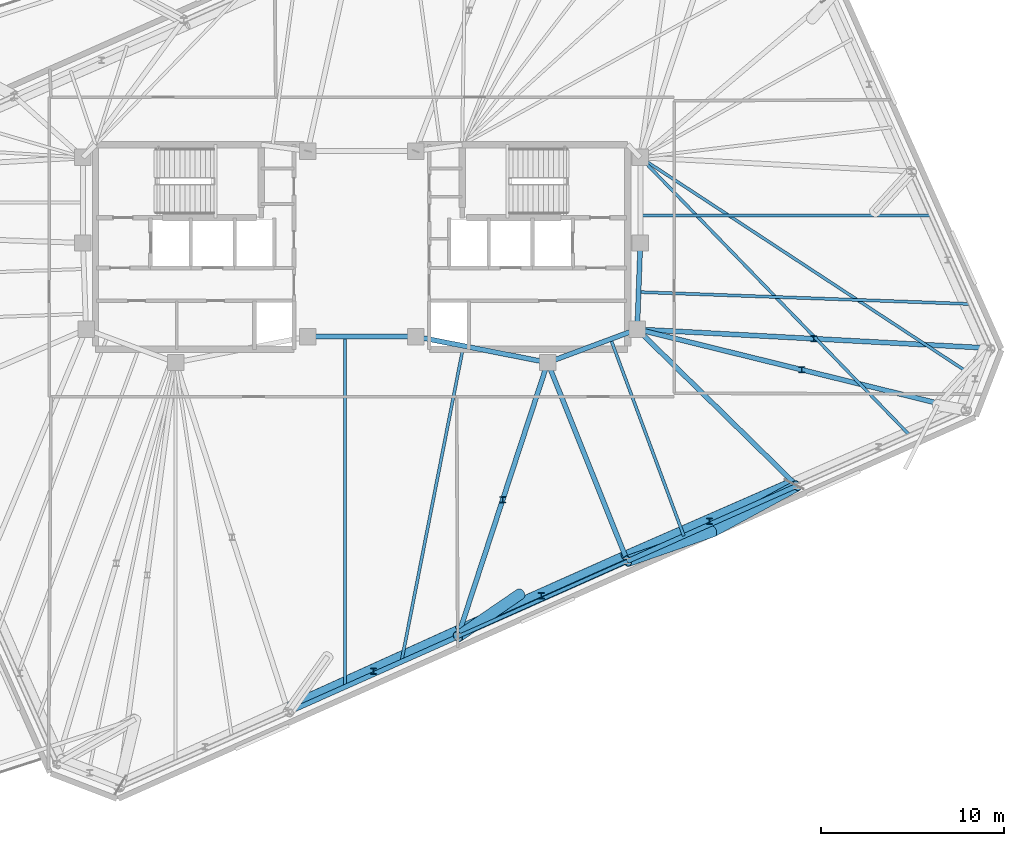
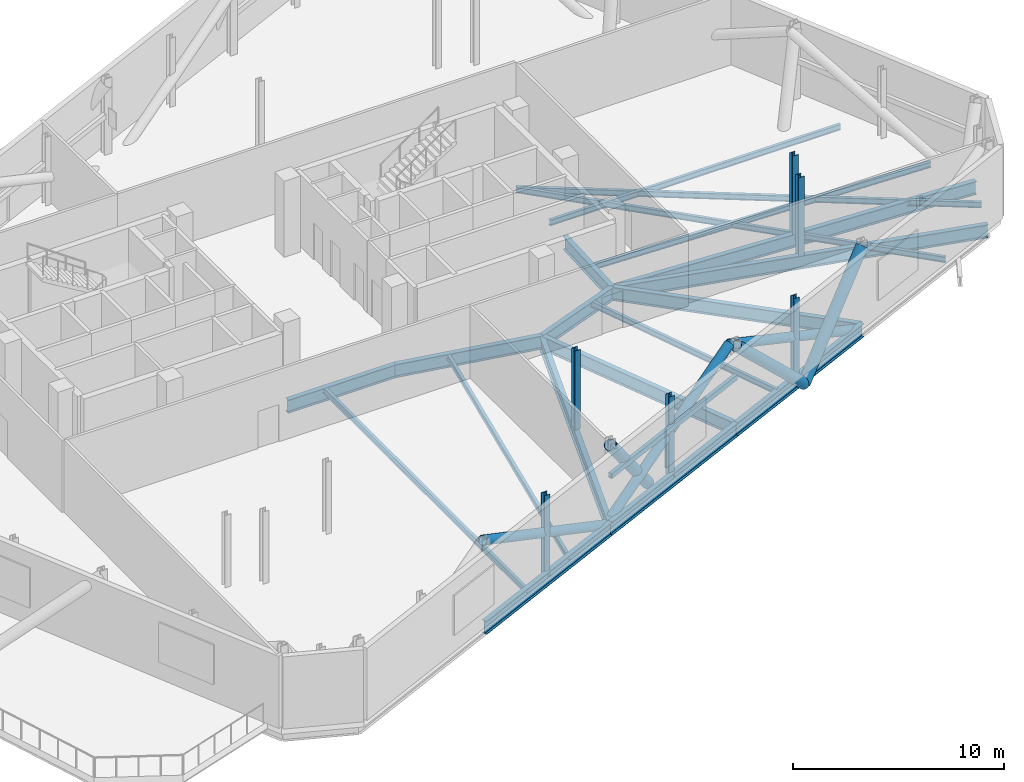
# One storey, part 5 of 15: 19 beams, 13 members.
"""IFC4 building model written with IfcOpenShell, lengths in metres."""

from ifc_helpers import new_model, si_unit, direction, frame, origin, origin_2d, place, context, subcontext, project, spatial, hollow_rectangle, hollow_circle, i_section, extrude, material, material_profile, profile_set, type_object, element, save


model = new_model("IFC4")

# Units and contexts
model_context = context("Model", 3, precision=1e-05, world=origin(), true_north=direction((0.0, 1.0)))
body_context = subcontext(model_context, "Body", "Model", "MODEL_VIEW")
ifc_project = project(units=[si_unit("LENGTHUNIT", "METRE"), si_unit("AREAUNIT", "SQUARE_METRE"), si_unit("VOLUMEUNIT", "CUBIC_METRE"), si_unit("PLANEANGLEUNIT", "RADIAN"), si_unit("MASSUNIT", "GRAM", prefix="KILO")], contexts=[model_context])

# Site, building, storey
site_placement = place(None, origin())
site = spatial("IfcSite", under=ifc_project, at=site_placement, CompositionType="ELEMENT")
building_placement = place(site_placement, origin())
building = spatial("IfcBuilding", under=site, at=building_placement, Name="Menara Jurai Vektor", CompositionType="ELEMENT")
storey_placement = place(building_placement, frame((0.0, 0.0, 254.449951171875)))
storey = spatial("IfcBuildingStorey", under=building, at=storey_placement, Name="L68", CompositionType="ELEMENT", Elevation=254.449951171875)

# Beams
ifc_material_1 = material(Name="Steel S460", Category="steel")
ifc_material_profile_1 = material_profile(ifc_material_1, i_section(OverallWidth=0.26806640625, OverallDepth=0.77001953125, WebThickness=0.01611328125, FlangeThickness=0.02490234375, FilletRadius=0.01708984375, at=origin_2d()), Name="UKB 762x267x197")
ifc_profile_set_1 = profile_set([ifc_material_profile_1], Name="Steel S460")
beam_type_1 = type_object("IfcBeamType", Name="STR-BM-TR762", PredefinedType="BEAM", material=ifc_profile_set_1)
beam_1_placement = place(storey_placement, frame((15.080078125, -4.5, -0.7900390625), z_axis=(0.035977314146, 0.999352606874, 0.0), x_axis=(-0.999352606874, 0.035977314146, 0.0)))
element("IfcBeam", 1, at=beam_1_placement, inside=storey, type_object=beam_type_1, Name="Core Ring Header Girder L68-CHE-E2", PredefinedType="BEAM", context=body_context, shape_type="SweptSolid", body=[
    extrude(i_section(OverallWidth=0.26806640625, OverallDepth=0.77001953125, WebThickness=0.01611328125, FlangeThickness=0.02490234375, FilletRadius=0.01708984375, at=origin_2d()), origin(), (0.0, 0.0, 1.0), 4.72314453125),
])
beam_2_placement = place(storey_placement, frame((10.179931640625, -6.320068359375, -0.7900390625), z_axis=(0.937424400887, 0.348188874925, 0.0), x_axis=(-0.348188874925, 0.937424400887, 0.0)))
element("IfcBeam", 2, at=beam_2_placement, inside=storey, type_object=beam_type_1, Name="Core Ring Header Girder L68-CHE-S1", PredefinedType="BEAM", context=body_context, shape_type="SweptSolid", body=[
    extrude(i_section(OverallWidth=0.26806640625, OverallDepth=0.77001953125, WebThickness=0.01611328125, FlangeThickness=0.02490234375, FilletRadius=0.01708984375, at=origin_2d()), origin(), (0.0, 0.0, 1.0), 5.227294921875),
])
beam_3_placement = place(storey_placement, frame((2.949951171875, -4.89990234375, -0.7900390625), z_axis=(0.981249044334, -0.192744164614, 0.0), x_axis=(0.192744164614, 0.981249044334, 0.0)))
element("IfcBeam", 3, at=beam_3_placement, inside=storey, type_object=beam_type_1, Name="Core Ring Header Girder L68-CHE-S2", PredefinedType="BEAM", context=body_context, shape_type="SweptSolid", body=[
    extrude(i_section(OverallWidth=0.26806640625, OverallDepth=0.77001953125, WebThickness=0.01611328125, FlangeThickness=0.02490234375, FilletRadius=0.01708984375, at=origin_2d()), origin(), (0.0, 0.0, 1.0), 7.3681640625),
])
beam_4_placement = place(storey_placement, frame((-2.949951171875, -4.89990234375, -0.7900390625), z_axis=(1.0, 0.0, 0.0), x_axis=(0.0, 1.0, 0.0)))
element("IfcBeam", 4, at=beam_4_placement, inside=storey, type_object=beam_type_1, Name="Core Ring Header Girder L68-CC-1", PredefinedType="BEAM", context=body_context, shape_type="SweptSolid", body=[
    extrude(i_section(OverallWidth=0.26806640625, OverallDepth=0.77001953125, WebThickness=0.01611328125, FlangeThickness=0.02490234375, FilletRadius=0.01708984375, at=origin_2d()), origin(), (0.0, 0.0, 1.0), 5.89990234375),
])
beam_5_placement = place(storey_placement, frame((-4.006103515625, -25.4482421875, -0.7900390625), z_axis=(0.913545561407, 0.406736410017, 0.0), x_axis=(-0.406736410017, 0.913545561407, 0.0)))
element("IfcBeam", 5, at=beam_5_placement, inside=storey, type_object=beam_type_1, Name="Belt Truss Bottom Chord L68-02", PredefinedType="BEAM", context=body_context, shape_type="SweptSolid", body=[
    extrude(i_section(OverallWidth=0.26806640625, OverallDepth=0.77001953125, WebThickness=0.01611328125, FlangeThickness=0.02490234375, FilletRadius=0.01708984375, at=origin_2d()), origin(), (0.0, 0.0, 1.0), 10.1513671875),
])
beam_6_placement = place(storey_placement, frame((5.267578125, -21.3193359375, -0.7900390625), z_axis=(0.913541582548, 0.406745346568, 0.0), x_axis=(-0.406745346568, 0.913541582548, 0.0)))
element("IfcBeam", 6, at=beam_6_placement, inside=storey, type_object=beam_type_1, Name="Belt Truss Bottom Chord L68-03", PredefinedType="BEAM", context=body_context, shape_type="SweptSolid", body=[
    extrude(i_section(OverallWidth=0.26806640625, OverallDepth=0.77001953125, WebThickness=0.01611328125, FlangeThickness=0.02490234375, FilletRadius=0.01708984375, at=origin_2d()), origin(), (0.0, 0.0, 1.0), 10.151123046875),
])
beam_7_placement = place(storey_placement, frame((5.267578125, -21.3193359375, -0.7900390625), z_axis=(0.311239486704, 0.950331511587, 0.0), x_axis=(-0.950331511587, 0.311239486704, 0.0)))
element("IfcBeam", 7, at=beam_7_placement, inside=storey, type_object=beam_type_1, Name="Outrigger Transfer Girder L68-S3", PredefinedType="BEAM", context=body_context, shape_type="SweptSolid", body=[
    extrude(i_section(OverallWidth=0.26806640625, OverallDepth=0.77001953125, WebThickness=0.01611328125, FlangeThickness=0.02490234375, FilletRadius=0.01708984375, at=origin_2d()), origin(), (0.0, 0.0, 1.0), 15.783203125),
])
beam_8_placement = place(storey_placement, frame((14.541015625, -17.1904296875, -0.7900390625), z_axis=(0.913554497648, 0.406716338284, 0.0), x_axis=(-0.406716338284, 0.913554497648, 0.0)))
element("IfcBeam", 8, at=beam_8_placement, inside=storey, type_object=beam_type_1, Name="Belt Truss Bottom Chord L68-04", PredefinedType="BEAM", context=body_context, shape_type="SweptSolid", body=[
    extrude(i_section(OverallWidth=0.26806640625, OverallDepth=0.77001953125, WebThickness=0.01611328125, FlangeThickness=0.02490234375, FilletRadius=0.01708984375, at=origin_2d()), origin(), (0.0, 0.0, 1.0), 10.151123046875),
])
beam_9_placement = place(storey_placement, frame((14.541015625, -17.1904296875, -0.7900390625), z_axis=(-0.372342852726, 0.928095253745, 0.0), x_axis=(-0.928095253745, -0.372342852726, 0.0)))
element("IfcBeam", 9, at=beam_9_placement, inside=storey, type_object=beam_type_1, Name="Outrigger Transfer Girder L68-S4", PredefinedType="BEAM", context=body_context, shape_type="SweptSolid", body=[
    extrude(i_section(OverallWidth=0.26806640625, OverallDepth=0.77001953125, WebThickness=0.01611328125, FlangeThickness=0.02490234375, FilletRadius=0.01708984375, at=origin_2d()), origin(), (0.0, 0.0, 1.0), 11.712646484375),
])
beam_10_placement = place(storey_placement, frame((23.814697265625, -13.061767578125, -0.7900390625), z_axis=(-0.714137598149, 0.70000535063, 0.0), x_axis=(-0.70000535063, -0.714137598149, 0.0)))
element("IfcBeam", 10, at=beam_10_placement, inside=storey, type_object=beam_type_1, Name="Outrigger Transfer Girder L68-S5", PredefinedType="BEAM", context=body_context, shape_type="SweptSolid", body=[
    extrude(i_section(OverallWidth=0.26806640625, OverallDepth=0.77001953125, WebThickness=0.01611328125, FlangeThickness=0.02490234375, FilletRadius=0.01708984375, at=origin_2d()), origin(), (0.0, 0.0, 1.0), 12.23095703125),
])
beam_11_placement = place(storey_placement, frame((33.088134765625, -8.932861328125, -0.7900390625), z_axis=(-0.971013515776, 0.239024584888, 0.0), x_axis=(-0.239024584888, -0.971013515776, 0.0)))
element("IfcBeam", 11, at=beam_11_placement, inside=storey, type_object=beam_type_1, Name="Outrigger Transfer Girder L68-S6", PredefinedType="BEAM", context=body_context, shape_type="SweptSolid", body=[
    extrude(i_section(OverallWidth=0.26806640625, OverallDepth=0.77001953125, WebThickness=0.01611328125, FlangeThickness=0.02490234375, FilletRadius=0.01708984375, at=origin_2d()), origin(), (0.0, 0.0, 1.0), 18.545654296875),
])
beam_12_placement = place(storey_placement, frame((34.3916015625, -5.536865234375, -0.7900390625), z_axis=(-0.998561718759, 0.053614306189, 0.0), x_axis=(-0.053614306189, -0.998561718759, 0.0)))
element("IfcBeam", 12, at=beam_12_placement, inside=storey, type_object=beam_type_1, Name="Outrigger Transfer Girder L68-E1", PredefinedType="BEAM", context=body_context, shape_type="SweptSolid", body=[
    extrude(i_section(OverallWidth=0.26806640625, OverallDepth=0.77001953125, WebThickness=0.01611328125, FlangeThickness=0.02490234375, FilletRadius=0.01708984375, at=origin_2d()), origin(), (0.0, 0.0, 1.0), 19.33935546875),
])

# Members
ifc_material_profile_2 = material_profile(ifc_material_1, hollow_circle(Radius=0.25390625, WallThickness=0.02001953125, at=origin_2d()), Name="CHS 508x20")
ifc_profile_set_2 = profile_set([ifc_material_profile_2], Name="Steel S460")
member_type_1 = type_object("IfcMemberType", Name="STR-BR-508", PredefinedType="BRACE", material=ifc_profile_set_2)
member_1_placement = place(storey_placement, frame((5.216552734375, -20.983154296875, -0.7900390625), z_axis=(-0.821316804625, -0.372142021495, 0.432376019546), x_axis=(0.412714592074, -0.910860398463, 0.0)))
element("IfcMember", 13, at=member_1_placement, inside=storey, type_object=member_type_1, Name="Belt Truss Web Diagonal L68-02", PredefinedType="BRACE", context=body_context, shape_type="SweptSolid", body=[
    extrude(hollow_circle(Radius=0.25390625, WallThickness=0.02001953125, at=origin_2d()), origin(), (0.0, 0.0, 1.0), 11.117919921875),
])
member_2_placement = place(storey_placement, frame((5.216552734375, -20.983154296875, -0.7900390625), z_axis=(0.822898196304, 0.366377065555, 0.434288388464), x_axis=(-0.406735886564, 0.913545794463, 0.0)))
element("IfcMember", 14, at=member_2_placement, inside=storey, type_object=member_type_1, Name="Belt Truss Web Diagonal L68-03", PredefinedType="BRACE", context=body_context, shape_type="SweptSolid", body=[
    extrude(hollow_circle(Radius=0.25390625, WallThickness=0.02001953125, at=origin_2d()), origin(), (0.0, 0.0, 1.0), 11.069091796875),
])
member_3_placement = place(storey_placement, frame((23.51025390625, -12.91015625, -0.7900390625), z_axis=(-0.826127025941, -0.361350973869, 0.432365135845), x_axis=(0.400744737234, -0.916189748676, 0.0)))
element("IfcMember", 15, at=member_3_placement, inside=storey, type_object=member_type_1, Name="Belt Truss Web Diagonal L68-04", PredefinedType="BRACE", context=body_context, shape_type="SweptSolid", body=[
    extrude(hollow_circle(Radius=0.25390625, WallThickness=0.02001953125, at=origin_2d()), origin(), (0.0, 0.0, 1.0), 11.1181640625),
])
ifc_material_profile_3 = material_profile(ifc_material_1, hollow_rectangle(XDim=0.199951171875, YDim=0.300048828125, WallThickness=0.012451171875, at=origin_2d()), Name="RHS 300x200x12.5")
ifc_profile_set_3 = profile_set([ifc_material_profile_3], Name="Steel S460")
member_type_2 = type_object("IfcMemberType", Name="STR-CH-RHS300", PredefinedType="CHORD", material=ifc_profile_set_3)
member_4_placement = place(storey_placement, frame((5.267578125, -21.3193359375, 2.22998046875), z_axis=(0.913541582548, 0.406745346568, 0.0), x_axis=(-0.406745346568, 0.913541582548, 0.0)))
element("IfcMember", 16, at=member_4_placement, inside=storey, type_object=member_type_2, Name="Belt Truss Mid Chord L68-03", PredefinedType="CHORD", context=body_context, shape_type="SweptSolid", body=[
    extrude(hollow_rectangle(XDim=0.199951171875, YDim=0.300048828125, WallThickness=0.012451171875, at=origin_2d()), origin(), (0.0, 0.0, 1.0), 10.151123046875),
])

# Beams
ifc_material_2 = material(Name="Steel S355", Category="steel")
ifc_material_profile_4 = material_profile(ifc_material_2, i_section(OverallWidth=0.1650390625, OverallDepth=0.330078125, WebThickness=0.009033203125, FlangeThickness=0.013916015625, at=origin_2d()), Name="PG 330x165x46")
ifc_profile_set_4 = profile_set([ifc_material_profile_4], Name="Steel S355")
beam_type_2 = type_object("IfcBeamType", Name="STR-JS-330", PredefinedType="JOIST", material=ifc_profile_set_4)
beam_13_placement = place(storey_placement, frame((-0.914794921875, -24.072021484375, -0.570068359375), z_axis=(0.0, 1.0, 0.0), x_axis=(-1.0, 0.0, 0.0)))
element("IfcBeam", 17, at=beam_13_placement, inside=storey, type_object=beam_type_2, Name="Radial Secondary Floor Joist L68-JS03", PredefinedType="JOIST", context=body_context, shape_type="SweptSolid", body=[
    extrude(i_section(OverallWidth=0.1650390625, OverallDepth=0.330078125, WebThickness=0.009033203125, FlangeThickness=0.013916015625, at=origin_2d()), origin(), (0.0, 0.0, 1.0), 19.172119140625),
])
beam_14_placement = place(storey_placement, frame((2.176513671875, -22.695556640625, -0.570068359375), z_axis=(0.192710503651, 0.981255655669, 0.0), x_axis=(-0.981255655669, 0.192710503651, 0.0)))
element("IfcBeam", 18, at=beam_14_placement, inside=storey, type_object=beam_type_2, Name="Radial Secondary Floor Joist L68-JS04", PredefinedType="JOIST", context=body_context, shape_type="SweptSolid", body=[
    extrude(i_section(OverallWidth=0.1650390625, OverallDepth=0.330078125, WebThickness=0.009033203125, FlangeThickness=0.013916015625, at=origin_2d()), origin(), (0.0, 0.0, 1.0), 17.61083984375),
])
beam_15_placement = place(storey_placement, frame((17.632080078125, -15.814208984375, -0.570068359375), z_axis=(-0.348172664726, 0.937430421705, 0.0), x_axis=(-0.937430421705, -0.348172664726, 0.0)))
element("IfcBeam", 19, at=beam_15_placement, inside=storey, type_object=beam_type_2, Name="Radial Secondary Floor Joist L68-JS05", PredefinedType="JOIST", context=body_context, shape_type="SweptSolid", body=[
    extrude(i_section(OverallWidth=0.1650390625, OverallDepth=0.330078125, WebThickness=0.009033203125, FlangeThickness=0.013916015625, at=origin_2d()), origin(), (0.0, 0.0, 1.0), 11.494873046875),
])
beam_16_placement = place(storey_placement, frame((29.996826171875, -10.30908203125, -0.570068359375), z_axis=(-0.696114697983, 0.717930586653, 0.0), x_axis=(-0.717930586653, -0.696114697983, 0.0)))
element("IfcBeam", 20, at=beam_16_placement, inside=storey, type_object=beam_type_2, Name="Radial Secondary Floor Joist L68-JS06", PredefinedType="JOIST", context=body_context, shape_type="SweptSolid", body=[
    extrude(i_section(OverallWidth=0.1650390625, OverallDepth=0.330078125, WebThickness=0.009033203125, FlangeThickness=0.013916015625, at=origin_2d()), origin(), (0.0, 0.0, 1.0), 21.1845703125),
])
beam_17_placement = place(storey_placement, frame((33.739990234375, -7.23486328125, -0.570068359375), z_axis=(-0.836033194478, 0.54867886576, 0.0), x_axis=(-0.54867886576, -0.836033194478, 0.0)))
element("IfcBeam", 21, at=beam_17_placement, inside=storey, type_object=beam_type_2, Name="Radial Secondary Floor Joist L68-JS07", PredefinedType="JOIST", context=body_context, shape_type="SweptSolid", body=[
    extrude(i_section(OverallWidth=0.1650390625, OverallDepth=0.330078125, WebThickness=0.009033203125, FlangeThickness=0.013916015625, at=origin_2d()), origin(), (0.0, 0.0, 1.0), 22.116455078125),
])
beam_18_placement = place(storey_placement, frame((33.315185546875, -3.119384765625, -0.570068359375), z_axis=(-0.999351699571, 0.036002507761, 0.0), x_axis=(-0.036002507761, -0.999351699571, 0.0)))
element("IfcBeam", 22, at=beam_18_placement, inside=storey, type_object=beam_type_2, Name="Radial Secondary Floor Joist L68-JS08", PredefinedType="JOIST", context=body_context, shape_type="SweptSolid", body=[
    extrude(i_section(OverallWidth=0.1650390625, OverallDepth=0.330078125, WebThickness=0.009033203125, FlangeThickness=0.013916015625, at=origin_2d()), origin(), (0.0, 0.0, 1.0), 18.173583984375),
])
beam_19_placement = place(storey_placement, frame((31.16259765625, 1.7158203125, -0.570068359375), z_axis=(-1.0, 0.0, 0.0), x_axis=(0.0, -1.0, 0.0)))
element("IfcBeam", 23, at=beam_19_placement, inside=storey, type_object=beam_type_2, Name="Radial Secondary Floor Joist L68-JS09", PredefinedType="JOIST", context=body_context, shape_type="SweptSolid", body=[
    extrude(i_section(OverallWidth=0.1650390625, OverallDepth=0.330078125, WebThickness=0.009033203125, FlangeThickness=0.013916015625, at=origin_2d()), origin(), (0.0, 0.0, 1.0), 15.91259765625),
])

# Members
ifc_material_profile_5 = material_profile(ifc_material_1, i_section(OverallWidth=0.31103515625, OverallDepth=0.326904296875, WebThickness=0.01611328125, FlangeThickness=0.02490234375, FilletRadius=0.014892578125, at=origin_2d()), Name="UKC 305x305x158")
ifc_profile_set_5 = profile_set([ifc_material_profile_5], Name="Steel S460")
member_type_3 = type_object("IfcMemberType", Name="STR-POST-305", PredefinedType="POST", material=ifc_profile_set_5)
member_5_placement = place(storey_placement, frame((0.64599609375, -23.204345703125, -0.7548828125), z_axis=(0.0, 0.0, 1.0), x_axis=(1.0, 0.0, 0.0)))
element("IfcMember", 24, at=member_5_placement, inside=storey, type_object=member_type_3, Name="Belt Truss Vertical Web Post L68-02", PredefinedType="POST", context=body_context, shape_type="SweptSolid", body=[
    extrude(i_section(OverallWidth=0.31103515625, OverallDepth=0.326904296875, WebThickness=0.01611328125, FlangeThickness=0.02490234375, FilletRadius=0.014892578125, at=origin_2d()), origin(), (0.0, 0.0, 1.0), 4.72998046875),
])
member_6_placement = place(storey_placement, frame((7.723876953125, -13.819580078125, -0.405029296875), z_axis=(0.0, 0.0, 1.0), x_axis=(1.0, 0.0, 0.0)))
element("IfcMember", 25, at=member_6_placement, inside=storey, type_object=member_type_3, Name="Girder Hanger L68-S3", PredefinedType="POST", context=body_context, shape_type="SweptSolid", body=[
    extrude(i_section(OverallWidth=0.31103515625, OverallDepth=0.326904296875, WebThickness=0.01611328125, FlangeThickness=0.02490234375, FilletRadius=0.014892578125, at=origin_2d()), origin(), (0.0, 0.0, 1.0), 4.580078125),
])
for number, where, z_axis, x_axis, name in (
    (26, (9.8310546875, -19.090576171875, -0.7548828125), (0.0, 0.0, 1.0), (1.0, 0.0, 0.0), "Belt Truss Vertical Web Post L68-03"),
    (27, (19.034423828125, -15.017333984375, -0.7548828125), (0.0, 0.0, 1.0), (1.0, 0.0, 0.0), "Belt Truss Vertical Web Post L68-04"),
):
    element("IfcMember", number, at=place(storey_placement, frame(where, z_axis=z_axis, x_axis=x_axis)), inside=storey, type_object=member_type_3, Name=name, PredefinedType="POST", context=body_context, shape_type="SweptSolid", body=[
        extrude(i_section(OverallWidth=0.31103515625, OverallDepth=0.326904296875, WebThickness=0.01611328125, FlangeThickness=0.02490234375, FilletRadius=0.014892578125, at=origin_2d()), origin(), (0.0, 0.0, 1.0), 4.72998046875),
    ])
for number, where, z_axis, x_axis, name in (
    (28, (24.083984375, -6.71630859375, -0.405029296875), (0.0, 0.0, 1.0), (1.0, 0.0, 0.0), "Girder Hanger L68-S6"),
    (29, (24.73583984375, -5.018310546875, -0.405029296875), (0.0, 0.0, 1.0), (1.0, 0.0, 0.0), "Girder Hanger L68-E1"),
):
    element("IfcMember", number, at=place(storey_placement, frame(where, z_axis=z_axis, x_axis=x_axis)), inside=storey, type_object=member_type_3, Name=name, PredefinedType="POST", context=body_context, shape_type="SweptSolid", body=[
        extrude(i_section(OverallWidth=0.31103515625, OverallDepth=0.326904296875, WebThickness=0.01611328125, FlangeThickness=0.02490234375, FilletRadius=0.014892578125, at=origin_2d()), origin(), (0.0, 0.0, 1.0), 4.580078125),
    ])
ifc_material_profile_6 = material_profile(ifc_material_1, hollow_circle(Radius=0.304931640625, WallThickness=0.02490234375, at=origin_2d()), Name="CHS 610x25")
ifc_profile_set_6 = profile_set([ifc_material_profile_6], Name="Steel S460")
member_type_4 = type_object("IfcMemberType", Name="STR-ST-610", PredefinedType="STRUT", material=ifc_profile_set_6)
member_7_placement = place(storey_placement, frame((8.675048828125, -18.987548828125, -0.7900390625), z_axis=(-0.53771703197, -0.36796842963, 0.758590553807), x_axis=(0.56474326649, -0.825266649607, 0.0)))
element("IfcMember", 30, at=member_7_placement, inside=storey, type_object=member_type_4, Name="Transfer Outrigger Strut L68-S3", PredefinedType="STRUT", context=body_context, shape_type="SweptSolid", body=[
    extrude(hollow_circle(Radius=0.304931640625, WallThickness=0.02490234375, at=origin_2d()), origin(), (0.0, 0.0, 1.0), 6.3369140625),
])
member_8_placement = place(storey_placement, frame((19.204345703125, -15.56640625, -0.7900390625), z_axis=(-0.67667984192, -0.235656473926, 0.697545996932), x_axis=(0.328881111314, -0.944371333015, 0.0)))
element("IfcMember", 31, at=member_8_placement, inside=storey, type_object=member_type_4, Name="Transfer Outrigger Strut L68-S4", PredefinedType="STRUT", context=body_context, shape_type="SweptSolid", body=[
    extrude(hollow_circle(Radius=0.304931640625, WallThickness=0.02490234375, at=origin_2d()), origin(), (0.0, 0.0, 1.0), 6.8916015625),
])
member_9_placement = place(storey_placement, frame((19.204345703125, -15.56640625, -0.7900390625), z_axis=(0.647867990339, 0.351982085097, 0.67555582957), x_axis=(-0.477387584996, 0.878692832389, 0.0)))
element("IfcMember", 32, at=member_9_placement, inside=storey, type_object=member_type_4, Name="Transfer Outrigger Strut L68-S5", PredefinedType="STRUT", context=body_context, shape_type="SweptSolid", body=[
    extrude(hollow_circle(Radius=0.304931640625, WallThickness=0.02490234375, at=origin_2d()), origin(), (0.0, 0.0, 1.0), 7.11572265625),
])

save(model, "model.ifc")
